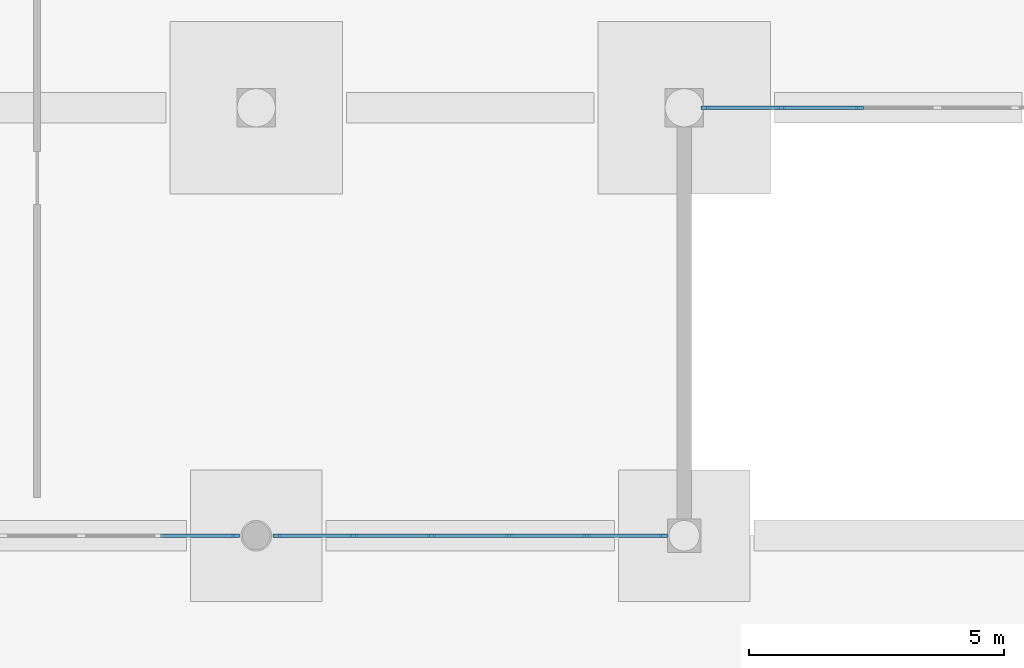
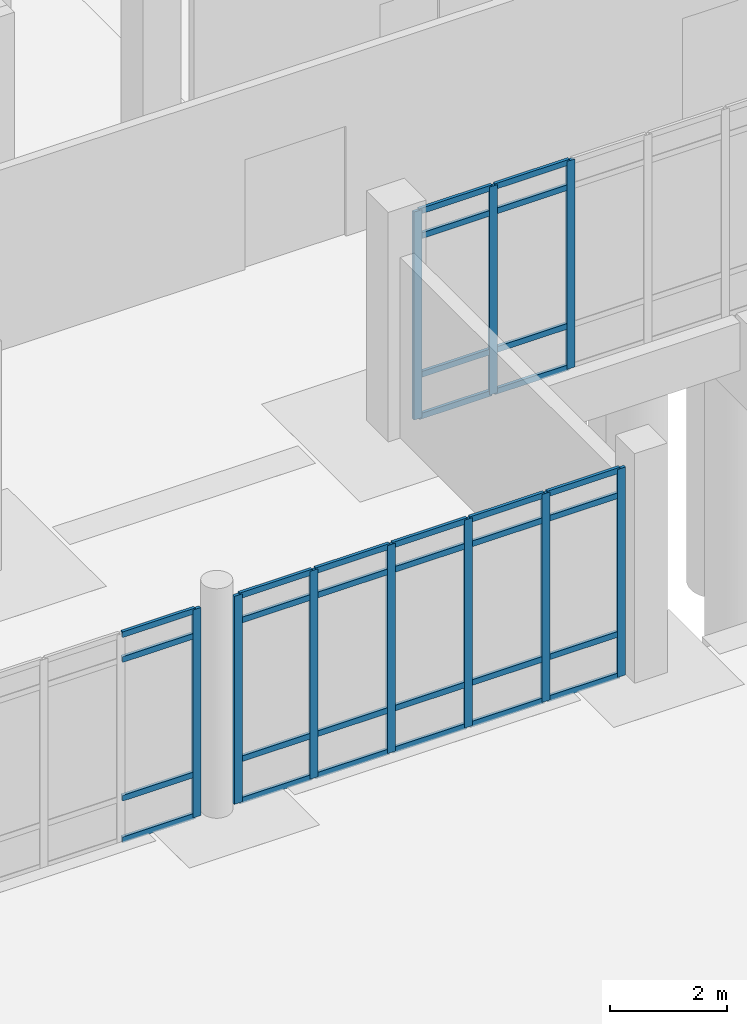
# One storey, part 18 of 72: 42 members, 3 elements without a shape of their own.
"""IFC4 building model written with IfcOpenShell, lengths in metres."""

from ifc_helpers import new_model, si_unit, direction, frame, origin, origin_2d, place, context, subcontext, project, spatial, rectangle, extrude, material, material_profile, profile_set, type_object, element, aggregate, save


model = new_model("IFC4")

# Units and contexts
model_context = context("Model", 3, precision=1e-05, world=origin(), true_north=direction((0.0, 1.0)))
body_context = subcontext(model_context, "Body", "Model", "MODEL_VIEW")
ifc_project = project(units=[si_unit("LENGTHUNIT", "METRE"), si_unit("AREAUNIT", "SQUARE_METRE"), si_unit("VOLUMEUNIT", "CUBIC_METRE"), si_unit("PLANEANGLEUNIT", "RADIAN"), si_unit("MASSUNIT", "GRAM", prefix="KILO")], contexts=[model_context])

# Site, building, storey
site_placement = place(None, origin())
site = spatial("IfcSite", under=ifc_project, at=site_placement, CompositionType="ELEMENT")
building_placement = place(site_placement, origin())
building = spatial("IfcBuilding", under=site, at=building_placement, Name="Cinderway Yard Community Centre", CompositionType="ELEMENT")
storey_placement = place(building_placement, origin())
storey = spatial("IfcBuildingStorey", under=building, at=storey_placement, Name="L00", CompositionType="ELEMENT", Elevation=0.0)

# Curtain wall, member
ifc_material = material(Name="Aluminium 6063-T6", Category="aluminium")
curtain_wall_type = type_object("IfcCurtainWallType", Name="ENV-CW-TYPE-24", PredefinedType="USERDEFINED", material=ifc_material)
curtain_wall_1_placement = place(storey_placement, origin())
curtain_wall_1 = element("IfcCurtainWall", 1, at=curtain_wall_1_placement, inside=storey, type_object=curtain_wall_type, Name="V4 Courtyard Curtain Wall ENV-CW-L00-ST-0110", ObjectType="GLAZED CURTAIN WALL", PredefinedType="USERDEFINED")
ifc_material_profile_1 = material_profile(ifc_material, rectangle(XDim=0.06005859375, YDim=0.159912109375, at=origin_2d()), Name="Aluminium 6063-T6")
ifc_profile_set_1 = profile_set([ifc_material_profile_1], Name="Aluminium 6063-T6")
member_type_1 = type_object("IfcMemberType", Name="ENV-CW-MULL-150", PredefinedType="MULLION", material=ifc_profile_set_1)
member_1_placement = place(storey_placement, frame((57.989990234375, 90.0, 0.0), z_axis=(0.0, 0.0, 1.0), x_axis=(0.0, 1.0, 0.0)))
member_1 = element("IfcMember", 2, at=member_1_placement, type_object=member_type_1, Name="CW-24 mullion 6", PredefinedType="MULLION", context=body_context, shape_type="SweptSolid", body=[
    extrude(rectangle(XDim=0.06005859375, YDim=0.159912109375, at=origin_2d()), origin(), (0.0, 0.0, 1.0), 4.35009765625),
])

# Curtain wall, members
curtain_wall_2_placement = place(storey_placement, origin())
curtain_wall_2 = element("IfcCurtainWall", 3, at=curtain_wall_2_placement, inside=storey, type_object=curtain_wall_type, Name="V4 Courtyard Curtain Wall ENV-CW-L00-ST-0112", ObjectType="GLAZED CURTAIN WALL", PredefinedType="USERDEFINED")
member_2_placement = place(storey_placement, frame((58.81005859375, 90.0, 0.0), z_axis=(0.0, 0.0, 1.0), x_axis=(0.0, 1.0, 0.0)))
member_2 = element("IfcMember", 4, at=member_2_placement, type_object=member_type_1, Name="CW-24 mullion 1", PredefinedType="MULLION", context=body_context, shape_type="SweptSolid", body=[
    extrude(rectangle(XDim=0.06005859375, YDim=0.159912109375, at=origin_2d()), origin(), (0.0, 0.0, 1.0), 4.35009765625),
])
member_3_placement = place(storey_placement, frame((60.30810546875, 90.0, 0.0), z_axis=(0.0, 0.0, 1.0), x_axis=(0.0, 1.0, 0.0)))
member_3 = element("IfcMember", 5, at=member_3_placement, type_object=member_type_1, Name="CW-24 mullion 2", PredefinedType="MULLION", context=body_context, shape_type="SweptSolid", body=[
    extrude(rectangle(XDim=0.06005859375, YDim=0.159912109375, at=origin_2d()), origin(), (0.0, 0.0, 1.0), 4.35009765625),
])
member_4_placement = place(storey_placement, frame((61.8359375, 90.0, 0.0), z_axis=(0.0, 0.0, 1.0), x_axis=(0.0, 1.0, 0.0)))
member_4 = element("IfcMember", 6, at=member_4_placement, type_object=member_type_1, Name="CW-24 mullion 3", PredefinedType="MULLION", context=body_context, shape_type="SweptSolid", body=[
    extrude(rectangle(XDim=0.06005859375, YDim=0.159912109375, at=origin_2d()), origin(), (0.0, 0.0, 1.0), 4.35009765625),
])
member_5_placement = place(storey_placement, frame((63.364013671875, 90.0, 0.0), z_axis=(0.0, 0.0, 1.0), x_axis=(0.0, 1.0, 0.0)))
member_5 = element("IfcMember", 7, at=member_5_placement, type_object=member_type_1, Name="CW-24 mullion 4", PredefinedType="MULLION", context=body_context, shape_type="SweptSolid", body=[
    extrude(rectangle(XDim=0.06005859375, YDim=0.159912109375, at=origin_2d()), origin(), (0.0, 0.0, 1.0), 4.35009765625),
])
member_6_placement = place(storey_placement, frame((64.89208984375, 90.0, 0.0), z_axis=(0.0, 0.0, 1.0), x_axis=(0.0, 1.0, 0.0)))
member_6 = element("IfcMember", 8, at=member_6_placement, type_object=member_type_1, Name="CW-24 mullion 5", PredefinedType="MULLION", context=body_context, shape_type="SweptSolid", body=[
    extrude(rectangle(XDim=0.06005859375, YDim=0.159912109375, at=origin_2d()), origin(), (0.0, 0.0, 1.0), 4.35009765625),
])
member_7_placement = place(storey_placement, frame((66.389892578125, 90.0, 0.0), z_axis=(0.0, 0.0, 1.0), x_axis=(0.0, 1.0, 0.0)))
member_7 = element("IfcMember", 9, at=member_7_placement, type_object=member_type_1, Name="CW-24 mullion 6", PredefinedType="MULLION", context=body_context, shape_type="SweptSolid", body=[
    extrude(rectangle(XDim=0.06005859375, YDim=0.159912109375, at=origin_2d()), origin(), (0.0, 0.0, 1.0), 4.35009765625),
])

curtain_wall_3_placement = place(storey_placement, origin())
curtain_wall_3 = element("IfcCurtainWall", 10, at=curtain_wall_3_placement, inside=storey, type_object=curtain_wall_type, Name="V4 Courtyard Curtain Wall ENV-CW-L00-ST-0113", ObjectType="GLAZED CURTAIN WALL", PredefinedType="USERDEFINED")
member_8_placement = place(storey_placement, frame((67.2099609375, 98.39990234375, 0.0), z_axis=(0.0, 0.0, 1.0), x_axis=(0.0, 1.0, 0.0)))
member_8 = element("IfcMember", 11, at=member_8_placement, type_object=member_type_1, Name="CW-24 mullion 1", PredefinedType="MULLION", context=body_context, shape_type="SweptSolid", body=[
    extrude(rectangle(XDim=0.06005859375, YDim=0.159912109375, at=origin_2d()), origin(), (0.0, 0.0, 1.0), 4.35009765625),
])
member_9_placement = place(storey_placement, frame((68.7080078125, 98.39990234375, 0.0), z_axis=(0.0, 0.0, 1.0), x_axis=(0.0, 1.0, 0.0)))
member_9 = element("IfcMember", 12, at=member_9_placement, type_object=member_type_1, Name="CW-24 mullion 2", PredefinedType="MULLION", context=body_context, shape_type="SweptSolid", body=[
    extrude(rectangle(XDim=0.06005859375, YDim=0.159912109375, at=origin_2d()), origin(), (0.0, 0.0, 1.0), 4.35009765625),
])
member_10_placement = place(storey_placement, frame((70.236083984375, 98.39990234375, 0.0), z_axis=(0.0, 0.0, 1.0), x_axis=(0.0, 1.0, 0.0)))
member_10 = element("IfcMember", 13, at=member_10_placement, type_object=member_type_1, Name="CW-24 mullion 3", PredefinedType="MULLION", context=body_context, shape_type="SweptSolid", body=[
    extrude(rectangle(XDim=0.06005859375, YDim=0.159912109375, at=origin_2d()), origin(), (0.0, 0.0, 1.0), 4.35009765625),
])

# Member
ifc_material_profile_2 = material_profile(ifc_material, rectangle(XDim=0.06005859375, YDim=0.1201171875, at=origin_2d()), Name="Aluminium 6063-T6")
ifc_profile_set_2 = profile_set([ifc_material_profile_2], Name="Aluminium 6063-T6")
member_type_2 = type_object("IfcMemberType", Name="ENV-CW-TRAN-110", PredefinedType="USERDEFINED", material=ifc_profile_set_2)
member_11_placement = place(storey_placement, frame((56.52197265625, 90.0, 0.030029296875), z_axis=(1.0, 0.0, 0.0), x_axis=(0.0, 1.0, 0.0)))
member_11 = element("IfcMember", 14, at=member_11_placement, type_object=member_type_2, Name="CW-24 transom 5.1", ObjectType="TRANSOM", PredefinedType="USERDEFINED", context=body_context, shape_type="SweptSolid", body=[
    extrude(rectangle(XDim=0.06005859375, YDim=0.1201171875, at=origin_2d()), origin(), (0.0, 0.0, 1.0), 1.43798828125),
])

member_12_placement = place(storey_placement, frame((56.52197265625, 90.0, 0.89990234375), z_axis=(1.0, 0.0, 0.0), x_axis=(0.0, 1.0, 0.0)))
member_12 = element("IfcMember", 15, at=member_12_placement, type_object=member_type_2, Name="CW-24 transom 5.2", ObjectType="TRANSOM", PredefinedType="USERDEFINED", context=body_context, shape_type="SweptSolid", body=[
    extrude(rectangle(XDim=0.06005859375, YDim=0.1201171875, at=origin_2d()), origin(), (0.0, 0.0, 1.0), 1.43798828125),
])

member_13_placement = place(storey_placement, frame((56.52197265625, 90.0, 3.800048828125), z_axis=(1.0, 0.0, 0.0), x_axis=(0.0, 1.0, 0.0)))
member_13 = element("IfcMember", 16, at=member_13_placement, type_object=member_type_2, Name="CW-24 transom 5.3", ObjectType="TRANSOM", PredefinedType="USERDEFINED", context=body_context, shape_type="SweptSolid", body=[
    extrude(rectangle(XDim=0.06005859375, YDim=0.1201171875, at=origin_2d()), origin(), (0.0, 0.0, 1.0), 1.43798828125),
])

member_14_placement = place(storey_placement, frame((56.52197265625, 90.0, 4.320068359375), z_axis=(1.0, 0.0, 0.0), x_axis=(0.0, 1.0, 0.0)))
member_14 = element("IfcMember", 17, at=member_14_placement, type_object=member_type_2, Name="CW-24 transom 5.4", ObjectType="TRANSOM", PredefinedType="USERDEFINED", context=body_context, shape_type="SweptSolid", body=[
    extrude(rectangle(XDim=0.06005859375, YDim=0.1201171875, at=origin_2d()), origin(), (0.0, 0.0, 1.0), 1.43798828125),
])

aggregate(curtain_wall_1, [member_1, member_11, member_12, member_13, member_14])

member_15_placement = place(storey_placement, frame((58.840087890625, 90.0, 0.030029296875), z_axis=(1.0, 0.0, 0.0), x_axis=(0.0, 1.0, 0.0)))
member_15 = element("IfcMember", 18, at=member_15_placement, type_object=member_type_2, Name="CW-24 transom 1.1", ObjectType="TRANSOM", PredefinedType="USERDEFINED", context=body_context, shape_type="SweptSolid", body=[
    extrude(rectangle(XDim=0.06005859375, YDim=0.1201171875, at=origin_2d()), origin(), (0.0, 0.0, 1.0), 1.43798828125),
])

member_16_placement = place(storey_placement, frame((58.840087890625, 90.0, 0.89990234375), z_axis=(1.0, 0.0, 0.0), x_axis=(0.0, 1.0, 0.0)))
member_16 = element("IfcMember", 19, at=member_16_placement, type_object=member_type_2, Name="CW-24 transom 1.2", ObjectType="TRANSOM", PredefinedType="USERDEFINED", context=body_context, shape_type="SweptSolid", body=[
    extrude(rectangle(XDim=0.06005859375, YDim=0.1201171875, at=origin_2d()), origin(), (0.0, 0.0, 1.0), 1.43798828125),
])

member_17_placement = place(storey_placement, frame((58.840087890625, 90.0, 3.800048828125), z_axis=(1.0, 0.0, 0.0), x_axis=(0.0, 1.0, 0.0)))
member_17 = element("IfcMember", 20, at=member_17_placement, type_object=member_type_2, Name="CW-24 transom 1.3", ObjectType="TRANSOM", PredefinedType="USERDEFINED", context=body_context, shape_type="SweptSolid", body=[
    extrude(rectangle(XDim=0.06005859375, YDim=0.1201171875, at=origin_2d()), origin(), (0.0, 0.0, 1.0), 1.43798828125),
])

member_18_placement = place(storey_placement, frame((58.840087890625, 90.0, 4.320068359375), z_axis=(1.0, 0.0, 0.0), x_axis=(0.0, 1.0, 0.0)))
member_18 = element("IfcMember", 21, at=member_18_placement, type_object=member_type_2, Name="CW-24 transom 1.4", ObjectType="TRANSOM", PredefinedType="USERDEFINED", context=body_context, shape_type="SweptSolid", body=[
    extrude(rectangle(XDim=0.06005859375, YDim=0.1201171875, at=origin_2d()), origin(), (0.0, 0.0, 1.0), 1.43798828125),
])

member_19_placement = place(storey_placement, frame((60.337890625, 90.0, 0.030029296875), z_axis=(1.0, 0.0, 0.0), x_axis=(0.0, 1.0, 0.0)))
member_19 = element("IfcMember", 22, at=member_19_placement, type_object=member_type_2, Name="CW-24 transom 2.1", ObjectType="TRANSOM", PredefinedType="USERDEFINED", context=body_context, shape_type="SweptSolid", body=[
    extrude(rectangle(XDim=0.06005859375, YDim=0.1201171875, at=origin_2d()), origin(), (0.0, 0.0, 1.0), 1.468017578125),
])

member_20_placement = place(storey_placement, frame((60.337890625, 90.0, 0.89990234375), z_axis=(1.0, 0.0, 0.0), x_axis=(0.0, 1.0, 0.0)))
member_20 = element("IfcMember", 23, at=member_20_placement, type_object=member_type_2, Name="CW-24 transom 2.2", ObjectType="TRANSOM", PredefinedType="USERDEFINED", context=body_context, shape_type="SweptSolid", body=[
    extrude(rectangle(XDim=0.06005859375, YDim=0.1201171875, at=origin_2d()), origin(), (0.0, 0.0, 1.0), 1.468017578125),
])

member_21_placement = place(storey_placement, frame((60.337890625, 90.0, 3.800048828125), z_axis=(1.0, 0.0, 0.0), x_axis=(0.0, 1.0, 0.0)))
member_21 = element("IfcMember", 24, at=member_21_placement, type_object=member_type_2, Name="CW-24 transom 2.3", ObjectType="TRANSOM", PredefinedType="USERDEFINED", context=body_context, shape_type="SweptSolid", body=[
    extrude(rectangle(XDim=0.06005859375, YDim=0.1201171875, at=origin_2d()), origin(), (0.0, 0.0, 1.0), 1.468017578125),
])

member_22_placement = place(storey_placement, frame((60.337890625, 90.0, 4.320068359375), z_axis=(1.0, 0.0, 0.0), x_axis=(0.0, 1.0, 0.0)))
member_22 = element("IfcMember", 25, at=member_22_placement, type_object=member_type_2, Name="CW-24 transom 2.4", ObjectType="TRANSOM", PredefinedType="USERDEFINED", context=body_context, shape_type="SweptSolid", body=[
    extrude(rectangle(XDim=0.06005859375, YDim=0.1201171875, at=origin_2d()), origin(), (0.0, 0.0, 1.0), 1.468017578125),
])

member_23_placement = place(storey_placement, frame((61.865966796875, 90.0, 0.030029296875), z_axis=(1.0, 0.0, 0.0), x_axis=(0.0, 1.0, 0.0)))
member_23 = element("IfcMember", 26, at=member_23_placement, type_object=member_type_2, Name="CW-24 transom 3.1", ObjectType="TRANSOM", PredefinedType="USERDEFINED", context=body_context, shape_type="SweptSolid", body=[
    extrude(rectangle(XDim=0.06005859375, YDim=0.1201171875, at=origin_2d()), origin(), (0.0, 0.0, 1.0), 1.468017578125),
])

member_24_placement = place(storey_placement, frame((61.865966796875, 90.0, 0.89990234375), z_axis=(1.0, 0.0, 0.0), x_axis=(0.0, 1.0, 0.0)))
member_24 = element("IfcMember", 27, at=member_24_placement, type_object=member_type_2, Name="CW-24 transom 3.2", ObjectType="TRANSOM", PredefinedType="USERDEFINED", context=body_context, shape_type="SweptSolid", body=[
    extrude(rectangle(XDim=0.06005859375, YDim=0.1201171875, at=origin_2d()), origin(), (0.0, 0.0, 1.0), 1.468017578125),
])

member_25_placement = place(storey_placement, frame((61.865966796875, 90.0, 3.800048828125), z_axis=(1.0, 0.0, 0.0), x_axis=(0.0, 1.0, 0.0)))
member_25 = element("IfcMember", 28, at=member_25_placement, type_object=member_type_2, Name="CW-24 transom 3.3", ObjectType="TRANSOM", PredefinedType="USERDEFINED", context=body_context, shape_type="SweptSolid", body=[
    extrude(rectangle(XDim=0.06005859375, YDim=0.1201171875, at=origin_2d()), origin(), (0.0, 0.0, 1.0), 1.468017578125),
])

member_26_placement = place(storey_placement, frame((61.865966796875, 90.0, 4.320068359375), z_axis=(1.0, 0.0, 0.0), x_axis=(0.0, 1.0, 0.0)))
member_26 = element("IfcMember", 29, at=member_26_placement, type_object=member_type_2, Name="CW-24 transom 3.4", ObjectType="TRANSOM", PredefinedType="USERDEFINED", context=body_context, shape_type="SweptSolid", body=[
    extrude(rectangle(XDim=0.06005859375, YDim=0.1201171875, at=origin_2d()), origin(), (0.0, 0.0, 1.0), 1.468017578125),
])

member_27_placement = place(storey_placement, frame((63.39404296875, 90.0, 0.030029296875), z_axis=(1.0, 0.0, 0.0), x_axis=(0.0, 1.0, 0.0)))
member_27 = element("IfcMember", 30, at=member_27_placement, type_object=member_type_2, Name="CW-24 transom 4.1", ObjectType="TRANSOM", PredefinedType="USERDEFINED", context=body_context, shape_type="SweptSolid", body=[
    extrude(rectangle(XDim=0.06005859375, YDim=0.1201171875, at=origin_2d()), origin(), (0.0, 0.0, 1.0), 1.468017578125),
])

member_28_placement = place(storey_placement, frame((63.39404296875, 90.0, 0.89990234375), z_axis=(1.0, 0.0, 0.0), x_axis=(0.0, 1.0, 0.0)))
member_28 = element("IfcMember", 31, at=member_28_placement, type_object=member_type_2, Name="CW-24 transom 4.2", ObjectType="TRANSOM", PredefinedType="USERDEFINED", context=body_context, shape_type="SweptSolid", body=[
    extrude(rectangle(XDim=0.06005859375, YDim=0.1201171875, at=origin_2d()), origin(), (0.0, 0.0, 1.0), 1.468017578125),
])

member_29_placement = place(storey_placement, frame((63.39404296875, 90.0, 3.800048828125), z_axis=(1.0, 0.0, 0.0), x_axis=(0.0, 1.0, 0.0)))
member_29 = element("IfcMember", 32, at=member_29_placement, type_object=member_type_2, Name="CW-24 transom 4.3", ObjectType="TRANSOM", PredefinedType="USERDEFINED", context=body_context, shape_type="SweptSolid", body=[
    extrude(rectangle(XDim=0.06005859375, YDim=0.1201171875, at=origin_2d()), origin(), (0.0, 0.0, 1.0), 1.468017578125),
])

member_30_placement = place(storey_placement, frame((63.39404296875, 90.0, 4.320068359375), z_axis=(1.0, 0.0, 0.0), x_axis=(0.0, 1.0, 0.0)))
member_30 = element("IfcMember", 33, at=member_30_placement, type_object=member_type_2, Name="CW-24 transom 4.4", ObjectType="TRANSOM", PredefinedType="USERDEFINED", context=body_context, shape_type="SweptSolid", body=[
    extrude(rectangle(XDim=0.06005859375, YDim=0.1201171875, at=origin_2d()), origin(), (0.0, 0.0, 1.0), 1.468017578125),
])

member_31_placement = place(storey_placement, frame((64.922119140625, 90.0, 0.030029296875), z_axis=(1.0, 0.0, 0.0), x_axis=(0.0, 1.0, 0.0)))
member_31 = element("IfcMember", 34, at=member_31_placement, type_object=member_type_2, Name="CW-24 transom 5.1", ObjectType="TRANSOM", PredefinedType="USERDEFINED", context=body_context, shape_type="SweptSolid", body=[
    extrude(rectangle(XDim=0.06005859375, YDim=0.1201171875, at=origin_2d()), origin(), (0.0, 0.0, 1.0), 1.43798828125),
])

member_32_placement = place(storey_placement, frame((64.922119140625, 90.0, 0.89990234375), z_axis=(1.0, 0.0, 0.0), x_axis=(0.0, 1.0, 0.0)))
member_32 = element("IfcMember", 35, at=member_32_placement, type_object=member_type_2, Name="CW-24 transom 5.2", ObjectType="TRANSOM", PredefinedType="USERDEFINED", context=body_context, shape_type="SweptSolid", body=[
    extrude(rectangle(XDim=0.06005859375, YDim=0.1201171875, at=origin_2d()), origin(), (0.0, 0.0, 1.0), 1.43798828125),
])

member_33_placement = place(storey_placement, frame((64.922119140625, 90.0, 3.800048828125), z_axis=(1.0, 0.0, 0.0), x_axis=(0.0, 1.0, 0.0)))
member_33 = element("IfcMember", 36, at=member_33_placement, type_object=member_type_2, Name="CW-24 transom 5.3", ObjectType="TRANSOM", PredefinedType="USERDEFINED", context=body_context, shape_type="SweptSolid", body=[
    extrude(rectangle(XDim=0.06005859375, YDim=0.1201171875, at=origin_2d()), origin(), (0.0, 0.0, 1.0), 1.43798828125),
])

member_34_placement = place(storey_placement, frame((64.922119140625, 90.0, 4.320068359375), z_axis=(1.0, 0.0, 0.0), x_axis=(0.0, 1.0, 0.0)))
member_34 = element("IfcMember", 37, at=member_34_placement, type_object=member_type_2, Name="CW-24 transom 5.4", ObjectType="TRANSOM", PredefinedType="USERDEFINED", context=body_context, shape_type="SweptSolid", body=[
    extrude(rectangle(XDim=0.06005859375, YDim=0.1201171875, at=origin_2d()), origin(), (0.0, 0.0, 1.0), 1.43798828125),
])

aggregate(curtain_wall_2, [member_2, member_3, member_4, member_5, member_6, member_7, member_15, member_16, member_17, member_18, member_19, member_20, member_21, member_22, member_23, member_24, member_25, member_26, member_27, member_28, member_29, member_30, member_31, member_32, member_33, member_34])

member_35_placement = place(storey_placement, frame((67.239990234375, 98.39990234375, 0.030029296875), z_axis=(1.0, 0.0, 0.0), x_axis=(0.0, 1.0, 0.0)))
member_35 = element("IfcMember", 38, at=member_35_placement, type_object=member_type_2, Name="CW-24 transom 1.1", ObjectType="TRANSOM", PredefinedType="USERDEFINED", context=body_context, shape_type="SweptSolid", body=[
    extrude(rectangle(XDim=0.06005859375, YDim=0.1201171875, at=origin_2d()), origin(), (0.0, 0.0, 1.0), 1.43798828125),
])

member_36_placement = place(storey_placement, frame((67.239990234375, 98.39990234375, 0.89990234375), z_axis=(1.0, 0.0, 0.0), x_axis=(0.0, 1.0, 0.0)))
member_36 = element("IfcMember", 39, at=member_36_placement, type_object=member_type_2, Name="CW-24 transom 1.2", ObjectType="TRANSOM", PredefinedType="USERDEFINED", context=body_context, shape_type="SweptSolid", body=[
    extrude(rectangle(XDim=0.06005859375, YDim=0.1201171875, at=origin_2d()), origin(), (0.0, 0.0, 1.0), 1.43798828125),
])

member_37_placement = place(storey_placement, frame((67.239990234375, 98.39990234375, 3.800048828125), z_axis=(1.0, 0.0, 0.0), x_axis=(0.0, 1.0, 0.0)))
member_37 = element("IfcMember", 40, at=member_37_placement, type_object=member_type_2, Name="CW-24 transom 1.3", ObjectType="TRANSOM", PredefinedType="USERDEFINED", context=body_context, shape_type="SweptSolid", body=[
    extrude(rectangle(XDim=0.06005859375, YDim=0.1201171875, at=origin_2d()), origin(), (0.0, 0.0, 1.0), 1.43798828125),
])

member_38_placement = place(storey_placement, frame((67.239990234375, 98.39990234375, 4.320068359375), z_axis=(1.0, 0.0, 0.0), x_axis=(0.0, 1.0, 0.0)))
member_38 = element("IfcMember", 41, at=member_38_placement, type_object=member_type_2, Name="CW-24 transom 1.4", ObjectType="TRANSOM", PredefinedType="USERDEFINED", context=body_context, shape_type="SweptSolid", body=[
    extrude(rectangle(XDim=0.06005859375, YDim=0.1201171875, at=origin_2d()), origin(), (0.0, 0.0, 1.0), 1.43798828125),
])

member_39_placement = place(storey_placement, frame((68.738037109375, 98.39990234375, 0.030029296875), z_axis=(1.0, 0.0, 0.0), x_axis=(0.0, 1.0, 0.0)))
member_39 = element("IfcMember", 42, at=member_39_placement, type_object=member_type_2, Name="CW-24 transom 2.1", ObjectType="TRANSOM", PredefinedType="USERDEFINED", context=body_context, shape_type="SweptSolid", body=[
    extrude(rectangle(XDim=0.06005859375, YDim=0.1201171875, at=origin_2d()), origin(), (0.0, 0.0, 1.0), 1.468017578125),
])

member_40_placement = place(storey_placement, frame((68.738037109375, 98.39990234375, 0.89990234375), z_axis=(1.0, 0.0, 0.0), x_axis=(0.0, 1.0, 0.0)))
member_40 = element("IfcMember", 43, at=member_40_placement, type_object=member_type_2, Name="CW-24 transom 2.2", ObjectType="TRANSOM", PredefinedType="USERDEFINED", context=body_context, shape_type="SweptSolid", body=[
    extrude(rectangle(XDim=0.06005859375, YDim=0.1201171875, at=origin_2d()), origin(), (0.0, 0.0, 1.0), 1.468017578125),
])

member_41_placement = place(storey_placement, frame((68.738037109375, 98.39990234375, 3.800048828125), z_axis=(1.0, 0.0, 0.0), x_axis=(0.0, 1.0, 0.0)))
member_41 = element("IfcMember", 44, at=member_41_placement, type_object=member_type_2, Name="CW-24 transom 2.3", ObjectType="TRANSOM", PredefinedType="USERDEFINED", context=body_context, shape_type="SweptSolid", body=[
    extrude(rectangle(XDim=0.06005859375, YDim=0.1201171875, at=origin_2d()), origin(), (0.0, 0.0, 1.0), 1.468017578125),
])

member_42_placement = place(storey_placement, frame((68.738037109375, 98.39990234375, 4.320068359375), z_axis=(1.0, 0.0, 0.0), x_axis=(0.0, 1.0, 0.0)))
member_42 = element("IfcMember", 45, at=member_42_placement, type_object=member_type_2, Name="CW-24 transom 2.4", ObjectType="TRANSOM", PredefinedType="USERDEFINED", context=body_context, shape_type="SweptSolid", body=[
    extrude(rectangle(XDim=0.06005859375, YDim=0.1201171875, at=origin_2d()), origin(), (0.0, 0.0, 1.0), 1.468017578125),
])

aggregate(curtain_wall_3, [member_8, member_9, member_10, member_35, member_36, member_37, member_38, member_39, member_40, member_41, member_42])

save(model, "model.ifc")
